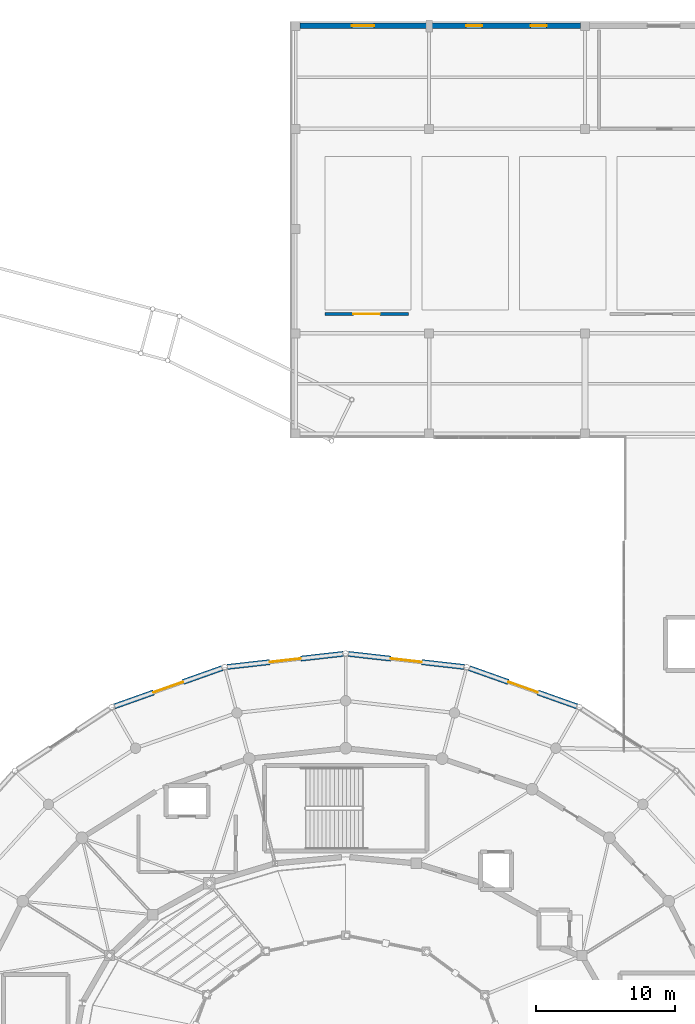
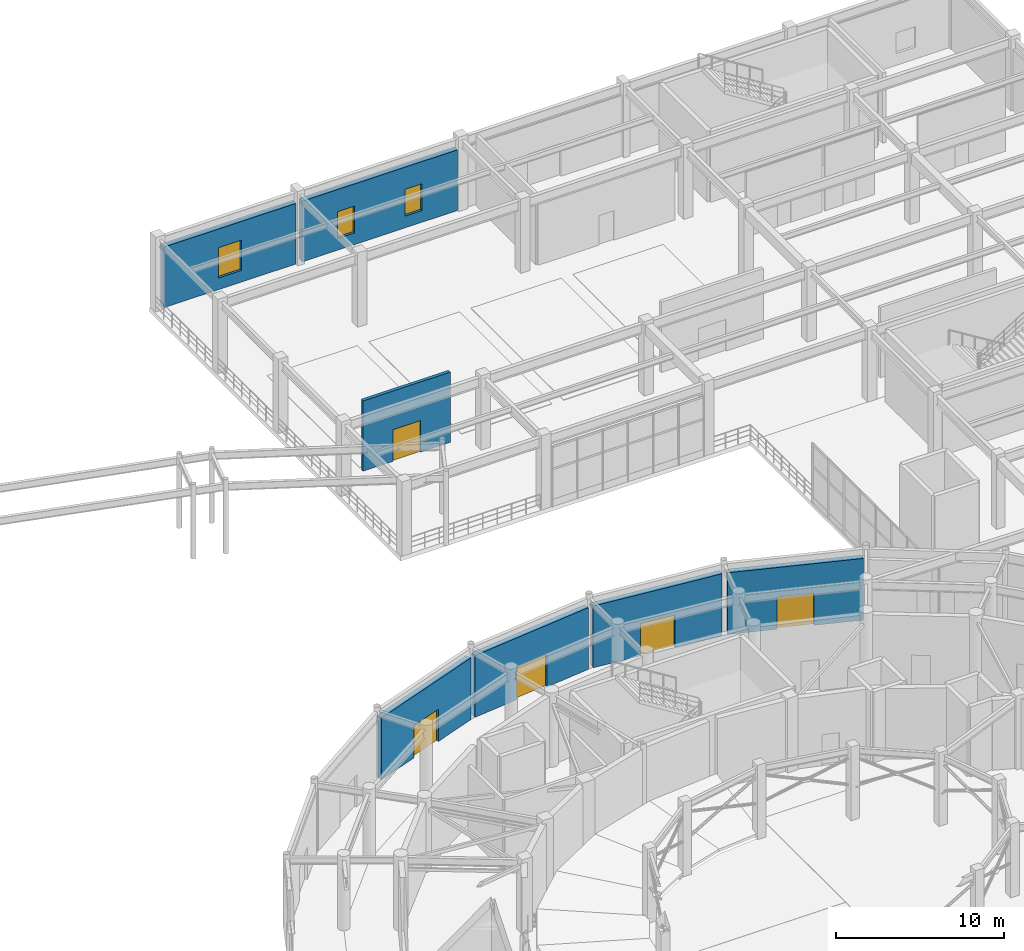
# One storey, part 59 of 93: 7 walls, 5 doors, 3 windows, 8 openings.
"""IFC4 building model written with IfcOpenShell, lengths in metres."""

from ifc_helpers import new_model, si_unit, direction, frame, frame_2d, origin, place, context, subcontext, project, spatial, rectangle, extrude, material, layer, layer_set, type_object, element, fill, save


model = new_model("IFC4")

# Units and contexts
model_context = context("Model", 3, precision=1e-05, world=origin(), true_north=direction((0.0, 1.0)))
body_context = subcontext(model_context, "Body", "Model", "MODEL_VIEW")
ifc_project = project(units=[si_unit("LENGTHUNIT", "METRE"), si_unit("AREAUNIT", "SQUARE_METRE"), si_unit("VOLUMEUNIT", "CUBIC_METRE"), si_unit("PLANEANGLEUNIT", "RADIAN"), si_unit("MASSUNIT", "GRAM", prefix="KILO")], contexts=[model_context])

# Site, building, storey
site_placement = place(None, origin())
site = spatial("IfcSite", under=ifc_project, at=site_placement, CompositionType="ELEMENT")
building_placement = place(site_placement, origin())
building = spatial("IfcBuilding", under=site, at=building_placement, Name="Cinderbank Siding Concert Hall", CompositionType="ELEMENT")
storey_placement = place(building_placement, origin())
storey = spatial("IfcBuildingStorey", under=building, at=storey_placement, Name="L01", CompositionType="ELEMENT", Elevation=0.0)

# Wall, opening, door
ifc_material_1 = material(Name="Reinforced concrete AS 3600 N50 (50 MPa)", Category="concrete")
ifc_layer_1 = layer(ifc_material_1, 0.219970703125)
ifc_layer_set_1 = layer_set([ifc_layer_1], Name="Reinforced concrete AS 3600 N50 (50 MPa)")
wall_type_1 = type_object("IfcWallType", Name="WL-06 Interior Wall 220mm", PredefinedType="SOLIDWALL", material=ifc_layer_set_1)
wall_1_placement = place(storey_placement, frame((120.5, 97.199951171875, 0.0), z_axis=(0.0, 0.0, 1.0), x_axis=(1.0, 0.0, 0.0)))
wall_1 = element("IfcWall", 1, at=wall_1_placement, inside=storey, type_object=wall_type_1, Name="L01 Partition Orchestral Hall West Lock", PredefinedType="SOLIDWALL", context=body_context, shape_type="SweptSolid", body=[
    extrude(rectangle(XDim=6.0, YDim=0.219970703125, at=frame_2d((3.0, 0.0))), origin(), (0.0, 0.0, 1.0), 5.10498046875),
])
opening_1_placement = place(wall_1_placement, frame((2.050048828125, 0.0, 0.0)))
opening_1 = element("IfcOpeningElement", 2, at=opening_1_placement, cuts=wall_1, Name="Opening D-06", PredefinedType="OPENING", context=body_context, shape_type="SweptSolid", body=[
    extrude(rectangle(XDim=1.89990234375, YDim=2.300048828125, at=frame_2d((0.949951171875, 1.14990234375))), frame((0.0, 0.1220703125, 0.0), z_axis=(0.0, -1.0, 0.0), x_axis=(1.0, 0.0, 0.0)), (0.0, 0.0, 1.0), 0.243896484375),
])
ifc_material_2 = material(Name="Galvanised sheet steel acoustic fire door assembly", Category="steel")
door_type_1 = type_object("IfcDoorType", Name="D-06 Interior Door 1900x2300", OperationType="DOUBLE_DOOR_SINGLE_SWING", PredefinedType="DOOR", material=ifc_material_2)
door_1_placement = place(opening_1_placement, origin())
door_1 = element("IfcDoor", 3, at=door_1_placement, inside=storey, type_object=door_type_1, Name="L01 Orchestral Hall West Lock Door L01-D251", OperationType="DOUBLE_DOOR_SINGLE_SWING", OverallHeight=2.300048828125, OverallWidth=1.89990234375, PredefinedType="DOOR", context=body_context, shape_type="SweptSolid", body=[
    extrude(rectangle(XDim=1.89990234375, YDim=2.300048828125, at=frame_2d((0.949951171875, 1.14990234375))), frame((0.0, 0.02490234375, 0.0), z_axis=(0.0, -1.0, 0.0), x_axis=(1.0, 0.0, 0.0)), (0.0, 0.0, 1.0), 0.050048828125),
])
fill(opening_1, door_1)

ifc_material_3 = material(Name="Sydney Hawkesbury sandstone ashlar masonry", Category="masonry")
ifc_layer_2 = layer(ifc_material_3, 0.389892578125)
ifc_layer_set_2 = layer_set([ifc_layer_2], Name="Sydney Hawkesbury sandstone ashlar masonry")
wall_type_2 = type_object("IfcWallType", Name="WL-09 Exterior Wall 390mm", PredefinedType="STANDARD", material=ifc_layer_set_2)
wall_2_placement = place(storey_placement, frame((130.873779296875, 71.755615234375, 0.0), z_axis=(0.0, 0.0, 1.0), x_axis=(0.942364340072, -0.334588479419, 0.0)))
wall_2 = element("IfcWall", 4, at=wall_2_placement, inside=storey, type_object=wall_type_2, Name="L01 Facade Wall EW-E4-L01-05", PredefinedType="STANDARD", context=body_context, shape_type="SweptSolid", body=[
    extrude(rectangle(XDim=8.22265625, YDim=0.389892578125, at=frame_2d((4.111328125, 0.0))), origin(), (0.0, 0.0, 1.0), 4.487060546875),
])
opening_2_placement = place(wall_2_placement, frame((2.991455078125, 0.0, 0.0)))
opening_2 = element("IfcOpeningElement", 5, at=opening_2_placement, cuts=wall_2, Name="Opening ED-D1", PredefinedType="OPENING", context=body_context, shape_type="SweptSolid", body=[
    extrude(rectangle(XDim=2.239990234375, YDim=2.35009765625, at=frame_2d((1.1201171875, 1.175048828125))), frame((0.0, 0.20703125, 0.0), z_axis=(0.0, -1.0, 0.0), x_axis=(1.0, 0.0, 0.0)), (0.0, 0.0, 1.0), 0.413818359375),
])
door_type_2 = type_object("IfcDoorType", Name="ED-D1 Exterior Door 2240x2350", OperationType="DOUBLE_DOOR_SINGLE_SWING", PredefinedType="DOOR", material=ifc_material_2)
door_2_placement = place(opening_2_placement, origin())
door_2 = element("IfcDoor", 6, at=door_2_placement, inside=storey, type_object=door_type_2, Name="Grand Foyer Exit Door S05", OperationType="DOUBLE_DOOR_SINGLE_SWING", OverallHeight=2.35009765625, OverallWidth=2.239990234375, PredefinedType="DOOR", context=body_context, shape_type="SweptSolid", body=[
    extrude(rectangle(XDim=2.239990234375, YDim=2.35009765625, at=frame_2d((1.1201171875, 1.175048828125))), frame((0.0, 0.02490234375, 0.0), z_axis=(0.0, -1.0, 0.0), x_axis=(1.0, 0.0, 0.0)), (0.0, 0.0, 1.0), 0.050048828125),
])
fill(opening_2, door_2)

wall_3_placement = place(storey_placement, frame((122.18701171875, 72.77880859375, 0.0), z_axis=(0.0, 0.0, 1.0), x_axis=(0.993695317578, -0.112114298035, 0.0)))
wall_3 = element("IfcWall", 7, at=wall_3_placement, inside=storey, type_object=wall_type_2, Name="L01 Facade Wall EW-E4-L01-06", PredefinedType="STANDARD", context=body_context, shape_type="SweptSolid", body=[
    extrude(rectangle(XDim=8.375, YDim=0.389892578125, at=frame_2d((4.1875, 0.0))), origin(), (0.0, 0.0, 1.0), 4.487060546875),
])
opening_3_placement = place(wall_3_placement, frame((3.0673828125, 0.0, 0.0)))
opening_3 = element("IfcOpeningElement", 8, at=opening_3_placement, cuts=wall_3, Name="Opening ED-D1", PredefinedType="OPENING", context=body_context, shape_type="SweptSolid", body=[
    extrude(rectangle(XDim=2.239990234375, YDim=2.35009765625, at=frame_2d((1.1201171875, 1.175048828125))), frame((0.0, 0.20703125, 0.0), z_axis=(0.0, -1.0, 0.0), x_axis=(1.0, 0.0, 0.0)), (0.0, 0.0, 1.0), 0.413818359375),
])
door_3_placement = place(opening_3_placement, origin())
door_3 = element("IfcDoor", 9, at=door_3_placement, inside=storey, type_object=door_type_2, Name="Grand Foyer Exit Door S06", OperationType="DOUBLE_DOOR_SINGLE_SWING", OverallHeight=2.35009765625, OverallWidth=2.239990234375, PredefinedType="DOOR", context=body_context, shape_type="SweptSolid", body=[
    extrude(rectangle(XDim=2.239990234375, YDim=2.35009765625, at=frame_2d((1.1201171875, 1.175048828125))), frame((0.0, 0.02490234375, 0.0), z_axis=(0.0, -1.0, 0.0), x_axis=(1.0, 0.0, 0.0)), (0.0, 0.0, 1.0), 0.050048828125),
])
fill(opening_3, door_3)

wall_4_placement = place(storey_placement, frame((113.49072265625, 71.83984375, 0.0), z_axis=(0.0, 0.0, 1.0), x_axis=(0.993695317578, 0.112114298035, 0.0)))
wall_4 = element("IfcWall", 10, at=wall_4_placement, inside=storey, type_object=wall_type_2, Name="L01 Facade Wall EW-E4-L01-07", PredefinedType="STANDARD", context=body_context, shape_type="SweptSolid", body=[
    extrude(rectangle(XDim=8.375, YDim=0.389892578125, at=frame_2d((4.1875, 0.0))), origin(), (0.0, 0.0, 1.0), 4.487060546875),
])
opening_4_placement = place(wall_4_placement, frame((3.0673828125, 0.0, 0.0)))
opening_4 = element("IfcOpeningElement", 11, at=opening_4_placement, cuts=wall_4, Name="Opening ED-D1", PredefinedType="OPENING", context=body_context, shape_type="SweptSolid", body=[
    extrude(rectangle(XDim=2.239990234375, YDim=2.35009765625, at=frame_2d((1.1201171875, 1.175048828125))), frame((0.0, 0.20703125, 0.0), z_axis=(0.0, -1.0, 0.0), x_axis=(1.0, 0.0, 0.0)), (0.0, 0.0, 1.0), 0.413818359375),
])
door_4_placement = place(opening_4_placement, origin())
door_4 = element("IfcDoor", 12, at=door_4_placement, inside=storey, type_object=door_type_2, Name="Grand Foyer Exit Door S07", OperationType="DOUBLE_DOOR_SINGLE_SWING", OverallHeight=2.35009765625, OverallWidth=2.239990234375, PredefinedType="DOOR", context=body_context, shape_type="SweptSolid", body=[
    extrude(rectangle(XDim=2.239990234375, YDim=2.35009765625, at=frame_2d((1.1201171875, 1.175048828125))), frame((0.0, 0.02490234375, 0.0), z_axis=(0.0, -1.0, 0.0), x_axis=(1.0, 0.0, 0.0)), (0.0, 0.0, 1.0), 0.050048828125),
])
fill(opening_4, door_4)

wall_5_placement = place(storey_placement, frame((105.37744140625, 69.00439453125, 0.0), z_axis=(0.0, 0.0, 1.0), x_axis=(0.942364340072, 0.334588479419, 0.0)))
wall_5 = element("IfcWall", 13, at=wall_5_placement, inside=storey, type_object=wall_type_2, Name="L01 Facade Wall EW-E4-L01-08", PredefinedType="STANDARD", context=body_context, shape_type="SweptSolid", body=[
    extrude(rectangle(XDim=8.22265625, YDim=0.389892578125, at=frame_2d((4.111328125, 0.0))), origin(), (0.0, 0.0, 1.0), 4.487060546875),
])
opening_5_placement = place(wall_5_placement, frame((2.991455078125, 0.0, 0.0)))
opening_5 = element("IfcOpeningElement", 14, at=opening_5_placement, cuts=wall_5, Name="Opening ED-D1", PredefinedType="OPENING", context=body_context, shape_type="SweptSolid", body=[
    extrude(rectangle(XDim=2.239990234375, YDim=2.35009765625, at=frame_2d((1.1201171875, 1.175048828125))), frame((0.0, 0.20703125, 0.0), z_axis=(0.0, -1.0, 0.0), x_axis=(1.0, 0.0, 0.0)), (0.0, 0.0, 1.0), 0.413818359375),
])
door_5_placement = place(opening_5_placement, origin())
door_5 = element("IfcDoor", 15, at=door_5_placement, inside=storey, type_object=door_type_2, Name="Grand Foyer Exit Door S08", OperationType="DOUBLE_DOOR_SINGLE_SWING", OverallHeight=2.35009765625, OverallWidth=2.239990234375, PredefinedType="DOOR", context=body_context, shape_type="SweptSolid", body=[
    extrude(rectangle(XDim=2.239990234375, YDim=2.35009765625, at=frame_2d((1.1201171875, 1.175048828125))), frame((0.0, 0.02490234375, 0.0), z_axis=(0.0, -1.0, 0.0), x_axis=(1.0, 0.0, 0.0)), (0.0, 0.0, 1.0), 0.050048828125),
])
fill(opening_5, door_5)

# Wall, opening, window
wall_6_placement = place(storey_placement, frame((118.7099609375, 117.89990234375, 0.0), z_axis=(0.0, 0.0, 1.0), x_axis=(1.0, 0.0, 0.0)))
wall_6 = element("IfcWall", 16, at=wall_6_placement, inside=storey, type_object=wall_type_2, Name="L01 Facade Wall EW-V3-N1-L01", PredefinedType="STANDARD", context=body_context, shape_type="SweptSolid", body=[
    extrude(rectangle(XDim=9.080078125, YDim=0.389892578125, at=frame_2d((4.5400390625, 0.0))), origin(), (0.0, 0.0, 1.0), 4.406982421875),
])
opening_6_placement = place(wall_6_placement, frame((3.739990234375, 0.0, 0.85009765625)))
opening_6 = element("IfcOpeningElement", 17, at=opening_6_placement, cuts=wall_6, Name="Opening WN-07", PredefinedType="OPENING", context=body_context, shape_type="SweptSolid", body=[
    extrude(rectangle(XDim=1.60009765625, YDim=2.199951171875, at=frame_2d((0.800048828125, 1.10009765625))), frame((0.0, 0.20703125, 0.0), z_axis=(0.0, -1.0, 0.0), x_axis=(1.0, 0.0, 0.0)), (0.0, 0.0, 1.0), 0.413818359375),
])
ifc_material_4 = material(Name="Double-glazed laminated acoustic glass", Category="glass")
window_type_1 = type_object("IfcWindowType", Name="WN-07 Acoustic Casement Window 1600x2200", PartitioningType="DOUBLE_PANEL_VERTICAL", PredefinedType="WINDOW", material=ifc_material_4)
window_1_placement = place(opening_6_placement, origin())
window_1 = element("IfcWindow", 18, at=window_1_placement, inside=storey, type_object=window_type_1, Name="L01 Facade Window #145", OverallHeight=2.199951171875, OverallWidth=1.60009765625, PartitioningType="DOUBLE_PANEL_VERTICAL", PredefinedType="WINDOW", context=body_context, shape_type="SweptSolid", body=[
    extrude(rectangle(XDim=1.60009765625, YDim=2.199951171875, at=frame_2d((0.800048828125, 1.10009765625))), frame((0.0, 0.030029296875, 0.0), z_axis=(0.0, -1.0, 0.0), x_axis=(1.0, 0.0, 0.0)), (0.0, 0.0, 1.0), 0.06005859375),
])
fill(opening_6, window_1)

# Wall, openings, windows
wall_7_placement = place(storey_placement, frame((128.2099609375, 117.89990234375, 0.0), z_axis=(0.0, 0.0, 1.0), x_axis=(1.0, 0.0, 0.0)))
wall_7 = element("IfcWall", 19, at=wall_7_placement, inside=storey, type_object=wall_type_2, Name="L01 Facade Wall EW-V3-N2-L01", PredefinedType="STANDARD", context=body_context, shape_type="SweptSolid", body=[
    extrude(rectangle(XDim=10.679931640625, YDim=0.389892578125, at=frame_2d((5.33984375, 0.0))), origin(), (0.0, 0.0, 1.0), 4.406982421875),
])
opening_7_placement = place(wall_7_placement, frame((2.445068359375, 0.0, 0.85009765625)))
opening_7 = element("IfcOpeningElement", 20, at=opening_7_placement, cuts=wall_7, Name="Opening WN-12", PredefinedType="OPENING", context=body_context, shape_type="SweptSolid", body=[
    extrude(rectangle(XDim=1.14990234375, YDim=1.949951171875, at=frame_2d((0.574951171875, 0.97509765625))), frame((0.0, 0.20703125, 0.0), z_axis=(0.0, -1.0, 0.0), x_axis=(1.0, 0.0, 0.0)), (0.0, 0.0, 1.0), 0.413818359375),
])
opening_8_placement = place(wall_7_placement, frame((7.0849609375, 0.0, 0.85009765625)))
opening_8 = element("IfcOpeningElement", 21, at=opening_8_placement, cuts=wall_7, Name="Opening WN-12", PredefinedType="OPENING", context=body_context, shape_type="SweptSolid", body=[
    extrude(rectangle(XDim=1.14990234375, YDim=1.949951171875, at=frame_2d((0.574951171875, 0.97509765625))), frame((0.0, 0.20703125, 0.0), z_axis=(0.0, -1.0, 0.0), x_axis=(1.0, 0.0, 0.0)), (0.0, 0.0, 1.0), 0.413818359375),
])
window_type_2 = type_object("IfcWindowType", Name="WN-12 Acoustic Casement Window 1150x1950", PartitioningType="DOUBLE_PANEL_VERTICAL", PredefinedType="WINDOW", material=ifc_material_4)
window_2_placement = place(opening_7_placement, origin())
window_2 = element("IfcWindow", 22, at=window_2_placement, inside=storey, type_object=window_type_2, Name="L01 Facade Window #150", OverallHeight=1.949951171875, OverallWidth=1.14990234375, PartitioningType="DOUBLE_PANEL_VERTICAL", PredefinedType="WINDOW", context=body_context, shape_type="SweptSolid", body=[
    extrude(rectangle(XDim=1.14990234375, YDim=1.949951171875, at=frame_2d((0.574951171875, 0.97509765625))), frame((0.0, 0.030029296875, 0.0), z_axis=(0.0, -1.0, 0.0), x_axis=(1.0, 0.0, 0.0)), (0.0, 0.0, 1.0), 0.06005859375),
])
fill(opening_7, window_2)
window_3_placement = place(opening_8_placement, origin())
window_3 = element("IfcWindow", 23, at=window_3_placement, inside=storey, type_object=window_type_2, Name="L01 Facade Window #151", OverallHeight=1.949951171875, OverallWidth=1.14990234375, PartitioningType="DOUBLE_PANEL_VERTICAL", PredefinedType="WINDOW", context=body_context, shape_type="SweptSolid", body=[
    extrude(rectangle(XDim=1.14990234375, YDim=1.949951171875, at=frame_2d((0.574951171875, 0.97509765625))), frame((0.0, 0.030029296875, 0.0), z_axis=(0.0, -1.0, 0.0), x_axis=(1.0, 0.0, 0.0)), (0.0, 0.0, 1.0), 0.06005859375),
])
fill(opening_8, window_3)

save(model, "model.ifc")
